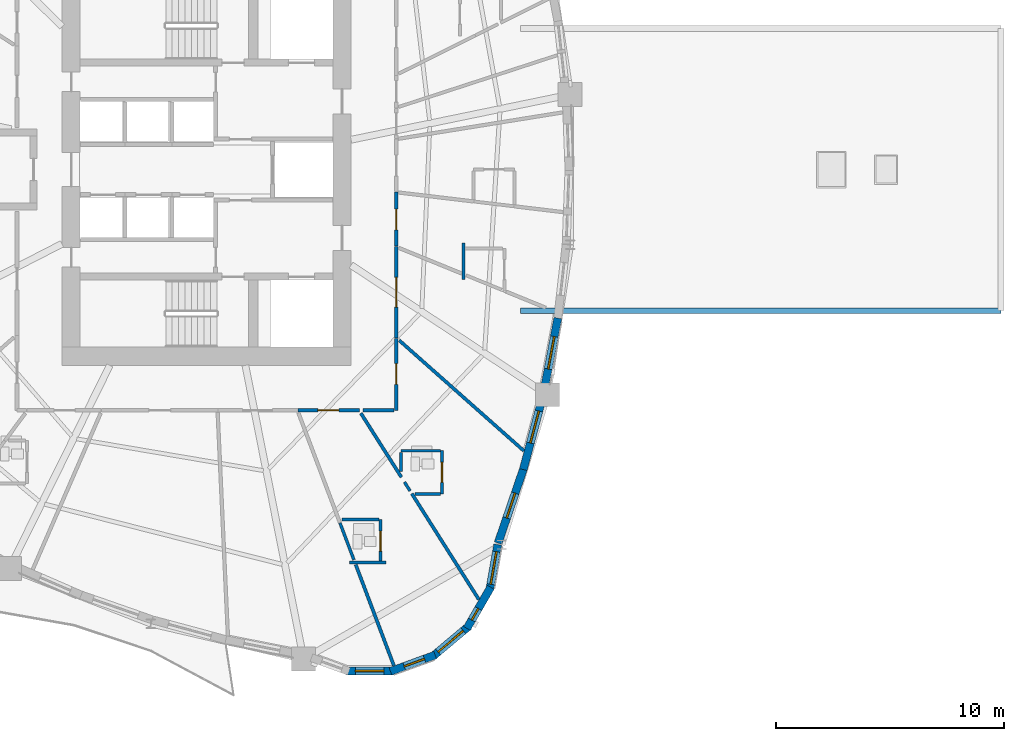
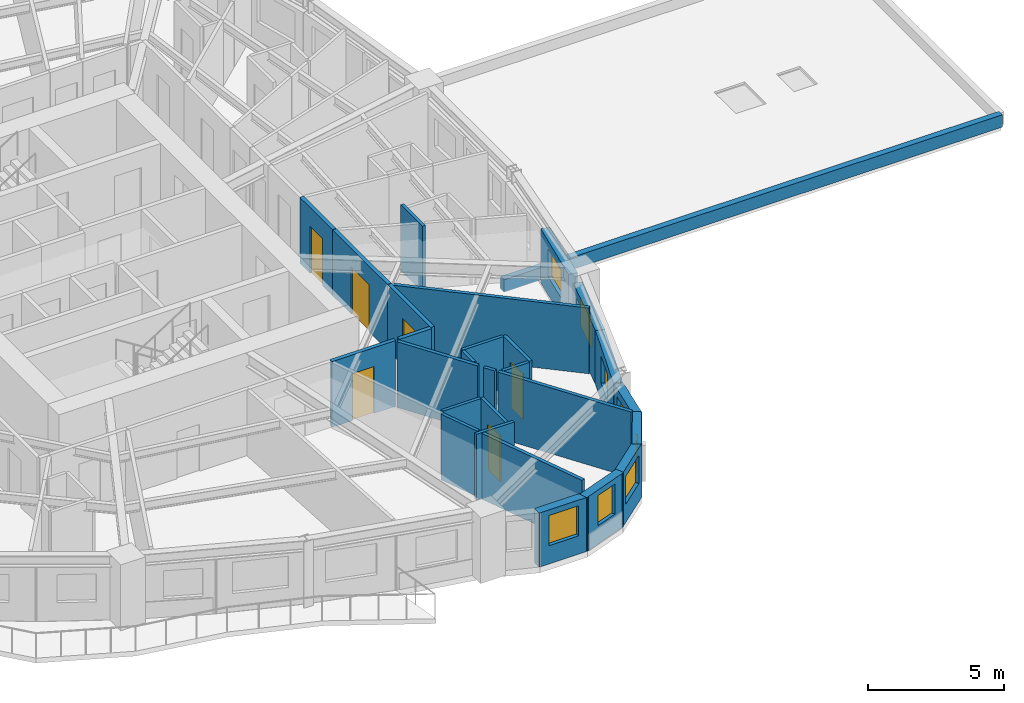
# One storey, part 6 of 15: 28 walls, 8 windows, 6 doors, 14 openings.
"""IFC4 building model written with IfcOpenShell, lengths in metres."""

from ifc_helpers import new_model, si_unit, direction, frame, frame_2d, origin, place, context, subcontext, project, spatial, rectangle, extrude, source, transform, mapped, material, layer, layer_set, type_object, element, fill, save


model = new_model("IFC4")

# Units and contexts
model_context = context("Model", 3, precision=1e-05, world=origin(), true_north=direction((0.0, 1.0)))
body_context = subcontext(model_context, "Body", "Model", "MODEL_VIEW")
ifc_project = project(units=[si_unit("LENGTHUNIT", "METRE"), si_unit("AREAUNIT", "SQUARE_METRE"), si_unit("VOLUMEUNIT", "CUBIC_METRE"), si_unit("PLANEANGLEUNIT", "RADIAN"), si_unit("MASSUNIT", "GRAM", prefix="KILO")], contexts=[model_context])

# Site, building, storey
site_placement = place(None, origin())
site = spatial("IfcSite", under=ifc_project, at=site_placement, CompositionType="ELEMENT")
building_placement = place(site_placement, origin())
building = spatial("IfcBuilding", under=site, at=building_placement, Name="Qafzar Sky-Pleat Residences", CompositionType="ELEMENT")
storey_placement = place(building_placement, frame((0.0, 0.0, 36.60009765625)))
storey = spatial("IfcBuildingStorey", under=building, at=storey_placement, Name="L10", CompositionType="ELEMENT", Elevation=36.60009765625)

# Wall, opening, door
ifc_material_1 = material(Name="Acoustic gypsum plasterboard partition", Category="gypsum")
ifc_layer_1 = layer(ifc_material_1, 0.159912109375)
ifc_layer_set_1 = layer_set([ifc_layer_1], Name="Acoustic gypsum plasterboard partition")
wall_type_1 = type_object("IfcWallType", Name="PART-COR-160", PredefinedType="PARTITIONING", material=ifc_layer_set_1)
wall_1_placement = place(storey_placement, frame((38.679931640625, 22.623046875, 0.0), z_axis=(0.0, 0.0, 1.0), x_axis=(0.0, -1.0, 0.0)))
wall_1 = element("IfcWall", 1, at=wall_1_placement, inside=storey, type_object=wall_type_1, Name="L10 Partition Wall PART-L10-PW-003", PredefinedType="PARTITIONING", context=body_context, shape_type="SweptSolid", body=[
    extrude(rectangle(XDim=4.026123046875, YDim=0.159912109375, at=frame_2d((2.01318359375, 0.0))), origin(), (0.0, 0.0, 1.0), 2.93994140625),
])
opening_1_placement = place(wall_1_placement, frame((1.361083984375, 0.0, 0.0)))
opening_1 = element("IfcOpeningElement", 2, at=opening_1_placement, cuts=wall_1, Name="Opening ID-05", PredefinedType="OPENING", context=body_context, shape_type="SweptSolid", body=[
    extrude(rectangle(XDim=1.300048828125, YDim=2.10009765625, at=frame_2d((0.64990234375, 1.050048828125))), frame((0.0, 0.08984375, 0.0), z_axis=(0.0, -1.0, 0.0), x_axis=(1.0, 0.0, 0.0)), (0.0, 0.0, 1.0), 0.179931640625),
])
ifc_material_2 = material(Name="Timber-faced fire door", Category="wood")
door_type_1 = type_object("IfcDoorType", Name="DR-LNG-1300", OperationType="DOUBLE_DOOR_SINGLE_SWING", PredefinedType="DOOR", material=ifc_material_2)
shared_shape_1 = source(origin(), body_context, "Body", "SweptSolid", [
    extrude(rectangle(XDim=1.300048828125, YDim=2.10009765625, at=frame_2d((0.64990234375, 1.050048828125))), frame((0.0, 0.02490234375, 0.0), z_axis=(0.0, -1.0, 0.0), x_axis=(1.0, 0.0, 0.0)), (0.0, 0.0, 1.0), 0.050048828125),
])
door_1_placement = place(opening_1_placement, origin())
door_1 = element("IfcDoor", 3, at=door_1_placement, inside=storey, type_object=door_type_1, Name="L10 Communal Kitchen Door", OperationType="DOUBLE_DOOR_SINGLE_SWING", OverallHeight=2.10009765625, OverallWidth=1.300048828125, PredefinedType="DOOR", context=body_context, shape_type="MappedRepresentation", body=[
    mapped(shared_shape_1, transform((0.0, 0.0, 0.0), x_axis=(1.0, 0.0, 0.0), y_axis=(0.0, 1.0, 0.0), z_axis=(0.0, 0.0, 1.0), scale=1.0)),
])
fill(opening_1, door_1)

wall_2_placement = place(storey_placement, frame((38.679931640625, 18.58203125, 0.0), z_axis=(0.0, 0.0, 1.0), x_axis=(0.0, -1.0, 0.0)))
wall_2 = element("IfcWall", 4, at=wall_2_placement, inside=storey, type_object=wall_type_1, Name="L10 Partition Wall PART-L10-PW-010", PredefinedType="PARTITIONING", context=body_context, shape_type="SweptSolid", body=[
    extrude(rectangle(XDim=3.162109375, YDim=0.159912109375, at=frame_2d((1.5810546875, 0.0))), origin(), (0.0, 0.0, 1.0), 2.93994140625),
])
opening_2_placement = place(wall_2_placement, frame((1.103515625, 0.0, 0.0)))
opening_2 = element("IfcOpeningElement", 5, at=opening_2_placement, cuts=wall_2, Name="Opening ID-04", PredefinedType="OPENING", context=body_context, shape_type="SweptSolid", body=[
    extrude(rectangle(XDim=0.919921875, YDim=2.10009765625, at=frame_2d((0.4599609375, 1.050048828125))), frame((0.0, 0.08984375, 0.0), z_axis=(0.0, -1.0, 0.0), x_axis=(1.0, 0.0, 0.0)), (0.0, 0.0, 1.0), 0.179931640625),
])
door_type_2 = type_object("IfcDoorType", Name="DR-BED-920", OperationType="NOTDEFINED", PredefinedType="DOOR", material=ifc_material_2)
shared_shape_2 = source(origin(), body_context, "Body", "SweptSolid", [
    extrude(rectangle(XDim=0.919921875, YDim=2.10009765625, at=frame_2d((0.4599609375, 1.050048828125))), frame((0.0, 0.02490234375, 0.0), z_axis=(0.0, -1.0, 0.0), x_axis=(1.0, 0.0, 0.0)), (0.0, 0.0, 1.0), 0.050048828125),
])
door_2_placement = place(opening_2_placement, origin())
door_2 = element("IfcDoor", 6, at=door_2_placement, inside=storey, type_object=door_type_2, Name="L10 Co-Living Bedroom 4 Door", OperationType="SINGLE_SWING_LEFT", OverallHeight=2.10009765625, OverallWidth=0.919921875, PredefinedType="DOOR", context=body_context, shape_type="MappedRepresentation", body=[
    mapped(shared_shape_2, transform((0.0, 0.0, 0.0), x_axis=(1.0, 0.0, 0.0), y_axis=(0.0, 1.0, 0.0), z_axis=(0.0, 0.0, 1.0), scale=1.0)),
])
fill(opening_2, door_2)

wall_3_placement = place(storey_placement, frame((37.069091796875, 15.419921875, 0.0), z_axis=(0.0, 0.0, 1.0), x_axis=(-1.0, 0.0, 0.0)))
wall_3 = element("IfcWall", 7, at=wall_3_placement, inside=storey, type_object=wall_type_1, Name="L10 Partition Wall PART-L10-PW-014", PredefinedType="PARTITIONING", context=body_context, shape_type="SweptSolid", body=[
    extrude(rectangle(XDim=2.693115234375, YDim=0.159912109375, at=frame_2d((1.3466796875, 0.0))), origin(), (0.0, 0.0, 1.0), 2.93994140625),
])
opening_3_placement = place(wall_3_placement, frame((0.910888671875, 0.0, 0.0)))
opening_3 = element("IfcOpeningElement", 8, at=opening_3_placement, cuts=wall_3, Name="Opening ID-04", PredefinedType="OPENING", context=body_context, shape_type="SweptSolid", body=[
    extrude(rectangle(XDim=0.919921875, YDim=2.10009765625, at=frame_2d((0.4599609375, 1.050048828125))), frame((0.0, 0.08984375, 0.0), z_axis=(0.0, -1.0, 0.0), x_axis=(1.0, 0.0, 0.0)), (0.0, 0.0, 1.0), 0.179931640625),
])
door_3_placement = place(opening_3_placement, origin())
door_3 = element("IfcDoor", 9, at=door_3_placement, inside=storey, type_object=door_type_2, Name="L10 Co-Living Bedroom 3 Door", OperationType="SINGLE_SWING_RIGHT", OverallHeight=2.10009765625, OverallWidth=0.919921875, PredefinedType="DOOR", context=body_context, shape_type="MappedRepresentation", body=[
    mapped(shared_shape_2, transform((0.0, 0.0, 0.0), x_axis=(1.0, 0.0, 0.0), y_axis=(0.0, 1.0, 0.0), z_axis=(0.0, 0.0, 1.0), scale=1.0)),
])
fill(opening_3, door_3)

wall_4_placement = place(storey_placement, frame((38.679931640625, 25.02099609375, 0.0), z_axis=(0.0, 0.0, 1.0), x_axis=(0.0, -1.0, 0.0)))
wall_4 = element("IfcWall", 10, at=wall_4_placement, inside=storey, type_object=wall_type_1, Name="L10 Partition Wall PART-L10-PW-016", PredefinedType="PARTITIONING", context=body_context, shape_type="SweptSolid", body=[
    extrude(rectangle(XDim=2.383056640625, YDim=0.159912109375, at=frame_2d((1.19140625, 0.0))), origin(), (0.0, 0.0, 1.0), 2.93994140625),
])
opening_4_placement = place(wall_4_placement, frame((0.75439453125, 0.0, 0.0)))
opening_4 = element("IfcOpeningElement", 11, at=opening_4_placement, cuts=wall_4, Name="Opening ID-04", PredefinedType="OPENING", context=body_context, shape_type="SweptSolid", body=[
    extrude(rectangle(XDim=0.919921875, YDim=2.10009765625, at=frame_2d((0.4599609375, 1.050048828125))), frame((0.0, 0.08984375, 0.0), z_axis=(0.0, -1.0, 0.0), x_axis=(1.0, 0.0, 0.0)), (0.0, 0.0, 1.0), 0.179931640625),
])
door_4_placement = place(opening_4_placement, origin())
door_4 = element("IfcDoor", 12, at=door_4_placement, inside=storey, type_object=door_type_2, Name="L10 Co-Living Bedroom 5 Door", OperationType="SINGLE_SWING_RIGHT", OverallHeight=2.10009765625, OverallWidth=0.919921875, PredefinedType="DOOR", context=body_context, shape_type="MappedRepresentation", body=[
    mapped(shared_shape_2, transform((0.0, 0.0, 0.0), x_axis=(1.0, 0.0, 0.0), y_axis=(0.0, 1.0, 0.0), z_axis=(0.0, 0.0, 1.0), scale=1.0)),
])
fill(opening_4, door_4)

# Walls
wall_5_placement = place(storey_placement, frame((37.228515625, 15.419921875, 0.0), z_axis=(0.0, 0.0, 1.0), x_axis=(1.0, 0.0, 0.0)))
element("IfcWall", 13, at=wall_5_placement, inside=storey, type_object=wall_type_1, Name="L10 Partition Wall PART-L10-PW-087", PredefinedType="PARTITIONING", context=body_context, shape_type="SweptSolid", body=[
    extrude(rectangle(XDim=1.363525390625, YDim=0.159912109375, at=frame_2d((0.681640625, 0.0))), origin(), (0.0, 0.0, 1.0), 2.93994140625),
])
ifc_layer_2 = layer(ifc_material_1, 0.14501953125)
ifc_layer_set_2 = layer_set([ifc_layer_2], Name="Acoustic gypsum plasterboard partition")
wall_type_2 = type_object("IfcWallType", Name="PART-UNIT-145", PredefinedType="PARTITIONING", material=ifc_layer_set_2)
wall_6_placement = place(storey_placement, frame((38.814208984375, 18.498291015625, 0.0), z_axis=(0.0, 0.0, 1.0), x_axis=(0.748346939228, -0.663307514316, 0.0)))
element("IfcWall", 14, at=wall_6_placement, inside=storey, type_object=wall_type_2, Name="L10 Partition Wall PART-L10-PW-046", PredefinedType="PARTITIONING", context=body_context, shape_type="SweptSolid", body=[
    extrude(rectangle(XDim=7.32080078125, YDim=0.14501953125, at=frame_2d((3.660400390625, 0.0))), origin(), (0.0, 0.0, 1.0), 2.93994140625),
])
wall_7_placement = place(storey_placement, frame((39.367919921875, 11.762939453125, 0.0), z_axis=(0.0, 0.0, 1.0), x_axis=(0.535087981742, -0.844796337465, 0.0)))
element("IfcWall", 15, at=wall_7_placement, inside=storey, type_object=wall_type_2, Name="L10 Partition Wall PART-L10-PW-049", PredefinedType="PARTITIONING", context=body_context, shape_type="SweptSolid", body=[
    extrude(rectangle(XDim=5.500732421875, YDim=0.14501953125, at=frame_2d((2.75048828125, 0.0))), origin(), (0.0, 0.0, 1.0), 2.93994140625),
])
wall_8_placement = place(storey_placement, frame((36.903076171875, 8.64697265625, 0.0), z_axis=(0.0, 0.0, 1.0), x_axis=(0.353286560965, -0.935515155324, 0.0)))
element("IfcWall", 16, at=wall_8_placement, inside=storey, type_object=wall_type_2, Name="L10 Partition Wall PART-L10-PW-051", PredefinedType="PARTITIONING", context=body_context, shape_type="SweptSolid", body=[
    extrude(rectangle(XDim=4.74755859375, YDim=0.14501953125, at=frame_2d((2.373779296875, 0.0))), origin(), (0.0, 0.0, 1.0), 2.93994140625),
])
wall_9_placement = place(storey_placement, frame((37.130615234375, 15.29443359375, 0.0), z_axis=(0.0, 0.0, 1.0), x_axis=(0.535237043706, -0.844701904251, 0.0)))
element("IfcWall", 17, at=wall_9_placement, inside=storey, type_object=wall_type_2, Name="L10 Partition Wall PART-L10-PW-056", PredefinedType="PARTITIONING", context=body_context, shape_type="SweptSolid", body=[
    extrude(rectangle(XDim=3.328369140625, YDim=0.14501953125, at=frame_2d((1.6640625, 0.0))), origin(), (0.0, 0.0, 1.0), 2.93994140625),
])

# Wall, opening, door
ifc_material_3 = material(Name="Moisture-resistant gypsum partition", Category="gypsum")
ifc_layer_3 = layer(ifc_material_3, 0.1298828125)
ifc_layer_set_3 = layer_set([ifc_layer_3], Name="Moisture-resistant gypsum partition")
wall_type_3 = type_object("IfcWallType", Name="PART-WET-130", PredefinedType="PARTITIONING", material=ifc_layer_set_3)
wall_10_placement = place(storey_placement, frame((37.992919921875, 8.802978515625, 0.0), z_axis=(0.0, 0.0, 1.0), x_axis=(0.0, 1.0, 0.0)))
wall_10 = element("IfcWall", 18, at=wall_10_placement, inside=storey, type_object=wall_type_3, Name="L10 Partition Wall PART-L10-PW-022", PredefinedType="PARTITIONING", context=body_context, shape_type="SweptSolid", body=[
    extrude(rectangle(XDim=1.826904296875, YDim=0.1298828125, at=frame_2d((0.91357421875, 0.0))), origin(), (0.0, 0.0, 1.0), 2.93994140625),
])
opening_5_placement = place(wall_10_placement, frame((0.43701171875, 0.0, 0.0)))
opening_5 = element("IfcOpeningElement", 19, at=opening_5_placement, cuts=wall_10, Name="Opening ID-07", PredefinedType="OPENING", context=body_context, shape_type="SweptSolid", body=[
    extrude(rectangle(XDim=0.8798828125, YDim=2.050048828125, at=frame_2d((0.43994140625, 1.02490234375))), frame((0.0, 0.074951171875, 0.0), z_axis=(0.0, -1.0, 0.0), x_axis=(1.0, 0.0, 0.0)), (0.0, 0.0, 1.0), 0.14990234375),
])
door_type_3 = type_object("IfcDoorType", Name="DR-WET-880", OperationType="NOTDEFINED", PredefinedType="DOOR", material=ifc_material_2)
shared_shape_3 = source(origin(), body_context, "Body", "SweptSolid", [
    extrude(rectangle(XDim=0.8798828125, YDim=2.050048828125, at=frame_2d((0.43994140625, 1.02490234375))), frame((0.0, 0.02490234375, 0.0), z_axis=(0.0, -1.0, 0.0), x_axis=(1.0, 0.0, 0.0)), (0.0, 0.0, 1.0), 0.050048828125),
])
door_5_placement = place(opening_5_placement, origin())
door_5 = element("IfcDoor", 20, at=door_5_placement, inside=storey, type_object=door_type_3, Name="L10 En-suite Bathroom 3 Door", OperationType="SINGLE_SWING_RIGHT", OverallHeight=2.050048828125, OverallWidth=0.8798828125, PredefinedType="DOOR", context=body_context, shape_type="MappedRepresentation", body=[
    mapped(shared_shape_3, transform((0.0, 0.0, 0.0), x_axis=(1.0, 0.0, 0.0), y_axis=(0.0, 1.0, 0.0), z_axis=(0.0, 0.0, 1.0), scale=1.0)),
])
fill(opening_5, door_5)

wall_11_placement = place(storey_placement, frame((40.697021484375, 11.748046875, 0.0), z_axis=(0.0, 0.0, 1.0), x_axis=(0.0, 1.0, 0.0)))
wall_11 = element("IfcWall", 21, at=wall_11_placement, inside=storey, type_object=wall_type_3, Name="L10 Partition Wall PART-L10-PW-023", PredefinedType="PARTITIONING", context=body_context, shape_type="SweptSolid", body=[
    extrude(rectangle(XDim=1.89990234375, YDim=0.1298828125, at=frame_2d((0.949951171875, 0.0))), origin(), (0.0, 0.0, 1.0), 2.93994140625),
])
opening_6_placement = place(wall_11_placement, frame((0.510009765625, 0.0, 0.0)))
opening_6 = element("IfcOpeningElement", 22, at=opening_6_placement, cuts=wall_11, Name="Opening ID-07", PredefinedType="OPENING", context=body_context, shape_type="SweptSolid", body=[
    extrude(rectangle(XDim=0.8798828125, YDim=2.050048828125, at=frame_2d((0.43994140625, 1.02490234375))), frame((0.0, 0.074951171875, 0.0), z_axis=(0.0, -1.0, 0.0), x_axis=(1.0, 0.0, 0.0)), (0.0, 0.0, 1.0), 0.14990234375),
])
door_6_placement = place(opening_6_placement, origin())
door_6 = element("IfcDoor", 23, at=door_6_placement, inside=storey, type_object=door_type_3, Name="L10 En-suite Bathroom 4 Door", OperationType="SINGLE_SWING_LEFT", OverallHeight=2.050048828125, OverallWidth=0.8798828125, PredefinedType="DOOR", context=body_context, shape_type="MappedRepresentation", body=[
    mapped(shared_shape_3, transform((0.0, 0.0, 0.0), x_axis=(1.0, 0.0, 0.0), y_axis=(0.0, 1.0, 0.0), z_axis=(0.0, 0.0, 1.0), scale=1.0)),
])
fill(opening_6, door_6)

# Walls
wall_12_placement = place(storey_placement, frame((36.21337890625, 10.472900390625, 0.0), z_axis=(0.0, 0.0, 1.0), x_axis=(0.353194751426, -0.935549820996, 0.0)))
element("IfcWall", 24, at=wall_12_placement, inside=storey, type_object=wall_type_3, Name="L10 Partition Wall PART-L10-PW-072", PredefinedType="PARTITIONING", context=body_context, shape_type="SweptSolid", body=[
    extrude(rectangle(XDim=1.730224609375, YDim=0.1298828125, at=frame_2d((0.865234375, 0.0))), origin(), (0.0, 0.0, 1.0), 2.93994140625),
])
wall_13_placement = place(storey_placement, frame((36.302978515625, 10.6298828125, 0.0), z_axis=(0.0, 0.0, 1.0), x_axis=(1.0, 0.0, 0.0)))
element("IfcWall", 25, at=wall_13_placement, inside=storey, type_object=wall_type_3, Name="L10 Partition Wall PART-L10-PW-073", PredefinedType="PARTITIONING", context=body_context, shape_type="SweptSolid", body=[
    extrude(rectangle(XDim=1.616943359375, YDim=0.1298828125, at=frame_2d((0.80859375, 0.0))), origin(), (0.0, 0.0, 1.0), 2.93994140625),
])
wall_14_placement = place(storey_placement, frame((38.89697265625, 13.64794921875, 0.0), z_axis=(0.0, 0.0, 1.0), x_axis=(1.0, 0.0, 0.0)))
element("IfcWall", 26, at=wall_14_placement, inside=storey, type_object=wall_type_3, Name="L10 Partition Wall PART-L10-PW-074", PredefinedType="PARTITIONING", context=body_context, shape_type="SweptSolid", body=[
    extrude(rectangle(XDim=1.72705078125, YDim=0.1298828125, at=frame_2d((0.863525390625, 0.0))), origin(), (0.0, 0.0, 1.0), 2.93994140625),
])
wall_15_placement = place(storey_placement, frame((39.511962890625, 11.748046875, 0.0), z_axis=(0.0, 0.0, 1.0), x_axis=(1.0, 0.0, 0.0)))
element("IfcWall", 27, at=wall_15_placement, inside=storey, type_object=wall_type_3, Name="L10 Partition Wall PART-L10-PW-093", PredefinedType="PARTITIONING", context=body_context, shape_type="SweptSolid", body=[
    extrude(rectangle(XDim=1.112060546875, YDim=0.1298828125, at=frame_2d((0.55615234375, 0.0))), origin(), (0.0, 0.0, 1.0), 2.93994140625),
])
wall_16_placement = place(storey_placement, frame((38.89697265625, 12.74609375, 0.0), z_axis=(0.0, 0.0, 1.0), x_axis=(0.0, 1.0, 0.0)))
element("IfcWall", 28, at=wall_16_placement, inside=storey, type_object=wall_type_3, Name="L10 Partition Wall PART-L10-PW-098", PredefinedType="PARTITIONING", context=body_context, shape_type="SweptSolid", body=[
    extrude(rectangle(XDim=0.828857421875, YDim=0.1298828125, at=frame_2d((0.41455078125, 0.0))), origin(), (0.0, 0.0, 1.0), 2.93994140625),
])
wall_17_placement = place(storey_placement, frame((41.632080078125, 21.1640625, 0.0), z_axis=(0.0, 0.0, 1.0), x_axis=(0.0, 1.0, 0.0)))
element("IfcWall", 29, at=wall_17_placement, inside=storey, type_object=wall_type_3, Name="L10 Partition Wall PART-L10-PW-099", PredefinedType="PARTITIONING", context=body_context, shape_type="SweptSolid", body=[
    extrude(rectangle(XDim=1.60595703125, YDim=0.1298828125, at=frame_2d((0.802978515625, 0.0))), origin(), (0.0, 0.0, 1.0), 2.93994140625),
])
wall_18_placement = place(storey_placement, frame((36.632080078125, 8.72998046875, 0.0), z_axis=(0.0, 0.0, 1.0), x_axis=(1.0, 0.0, 0.0)))
element("IfcWall", 30, at=wall_18_placement, inside=storey, type_object=wall_type_3, Name="L10 Partition Wall PART-L10-PW-100", PredefinedType="PARTITIONING", context=body_context, shape_type="SweptSolid", body=[
    extrude(rectangle(XDim=1.600830078125, YDim=0.1298828125, at=frame_2d((0.80029296875, 0.0))), origin(), (0.0, 0.0, 1.0), 2.93994140625),
])
wall_19_placement = place(storey_placement, frame((39.044189453125, 12.274169921875, 0.0), z_axis=(0.0, 0.0, 1.0), x_axis=(0.535002019117, -0.844850779452, 0.0)))
element("IfcWall", 31, at=wall_19_placement, inside=storey, type_object=wall_type_3, Name="L10 Partition Wall PART-L10-PW-104", PredefinedType="PARTITIONING", context=body_context, shape_type="SweptSolid", body=[
    extrude(rectangle(XDim=0.464111328125, YDim=0.1298828125, at=frame_2d((0.23193359375, 0.0))), origin(), (0.0, 0.0, 1.0), 2.93994140625),
])
ifc_material_4 = material(Name="Precast concrete C40/50 with honed Riyadh limestone", Category="concrete")
ifc_layer_4 = layer(ifc_material_4, 0.260009765625)
ifc_layer_set_4 = layer_set([ifc_layer_4], Name="Precast concrete C40/50 with honed Riyadh limestone")
wall_type_4 = type_object("IfcWallType", Name="WALL-EXT-260", PredefinedType="PARAPET", material=ifc_layer_set_4)
wall_20_placement = place(storey_placement, frame((44.14990234375, 19.800048828125, 0.0), z_axis=(0.0, 0.0, 1.0), x_axis=(1.0, 0.0, 0.0)))
element("IfcWall", 32, at=wall_20_placement, inside=storey, type_object=wall_type_4, Name="L10 SB-1 Roof Parapet 1", PredefinedType="PARAPET", context=body_context, shape_type="SweptSolid", body=[
    extrude(rectangle(XDim=21.1044921875, YDim=0.260009765625, at=frame_2d((10.55224609375, 0.0))), origin(), (0.0, 0.0, 1.0), 0.5498046875),
])

# Wall, opening, window
ifc_layer_5 = layer(ifc_material_4, 0.35009765625)
ifc_layer_set_5 = layer_set([ifc_layer_5], Name="Precast concrete C40/50 with honed Riyadh limestone")
wall_type_5 = type_object("IfcWallType", Name="WALL-EXT-350", PredefinedType="SOLIDWALL", material=ifc_layer_set_5)
wall_21_placement = place(storey_placement, frame((36.472412109375, 3.978271484375, 0.0), z_axis=(0.0, 0.0, 1.0), x_axis=(1.0, 0.0, 0.0)))
wall_21 = element("IfcWall", 33, at=wall_21_placement, inside=storey, type_object=wall_type_5, Name="L10 Limestone Facade Wall 18", PredefinedType="SOLIDWALL", context=body_context, shape_type="SweptSolid", body=[
    extrude(rectangle(XDim=2.09033203125, YDim=0.35009765625, at=frame_2d((1.045166015625, 0.0))), origin(), (0.0, 0.0, 1.0), 2.419921875),
])
opening_7_placement = place(wall_21_placement, frame((0.420166015625, 0.0, 0.820068359375)))
opening_7 = element("IfcOpeningElement", 34, at=opening_7_placement, cuts=wall_21, Name="Opening WN-11", PredefinedType="OPENING", context=body_context, shape_type="SweptSolid", body=[
    extrude(rectangle(XDim=1.25, YDim=1.35009765625, at=frame_2d((0.625, 0.675048828125))), frame((0.0, 0.18505859375, 0.0), z_axis=(0.0, -1.0, 0.0), x_axis=(1.0, 0.0, 0.0)), (0.0, 0.0, 1.0), 0.3701171875),
])
ifc_material_5 = material(Name="Solar-control low-E glass in bronze aluminium frame", Category="glass")
window_type_1 = type_object("IfcWindowType", Name="WIN-11", PartitioningType="SINGLE_PANEL", PredefinedType="WINDOW", material=ifc_material_5)
shared_shape_4 = source(origin(), body_context, "Body", "SweptSolid", [
    extrude(rectangle(XDim=1.25, YDim=1.35009765625, at=frame_2d((0.625, 0.675048828125))), frame((0.0, 0.030029296875, 0.0), z_axis=(0.0, -1.0, 0.0), x_axis=(1.0, 0.0, 0.0)), (0.0, 0.0, 1.0), 0.06005859375),
])
window_1_placement = place(opening_7_placement, origin())
window_1 = element("IfcWindow", 35, at=window_1_placement, inside=storey, type_object=window_type_1, Name="L10 Punched Facade Window 18", OverallHeight=1.35009765625, OverallWidth=1.25, PartitioningType="SINGLE_PANEL", PredefinedType="WINDOW", context=body_context, shape_type="MappedRepresentation", body=[
    mapped(shared_shape_4, transform((0.0, 0.0, 0.0), x_axis=(1.0, 0.0, 0.0), y_axis=(0.0, 1.0, 0.0), z_axis=(0.0, 0.0, 1.0), scale=1.0)),
])
fill(opening_7, window_1)

wall_22_placement = place(storey_placement, frame((38.42919921875, 3.95458984375, 0.0), z_axis=(0.0, 0.0, 1.0), x_axis=(0.939660353162, 0.342108784886, 0.0)))
wall_22 = element("IfcWall", 36, at=wall_22_placement, inside=storey, type_object=wall_type_5, Name="L10 Limestone Facade Wall 19", PredefinedType="SOLIDWALL", context=body_context, shape_type="SweptSolid", body=[
    extrude(rectangle(XDim=2.09033203125, YDim=0.35009765625, at=frame_2d((1.045166015625, 0.0))), origin(), (0.0, 0.0, 1.0), 2.419921875),
])
opening_8_placement = place(wall_22_placement, frame((0.644287109375, 0.0, 0.820068359375)))
opening_8 = element("IfcOpeningElement", 37, at=opening_8_placement, cuts=wall_22, Name="Opening WN-12", PredefinedType="OPENING", context=body_context, shape_type="SweptSolid", body=[
    extrude(rectangle(XDim=0.949951171875, YDim=1.35009765625, at=frame_2d((0.47509765625, 0.675048828125))), frame((0.0, 0.18505859375, 0.0), z_axis=(0.0, -1.0, 0.0), x_axis=(1.0, 0.0, 0.0)), (0.0, 0.0, 1.0), 0.3701171875),
])
window_type_2 = type_object("IfcWindowType", Name="WIN-12", PartitioningType="SINGLE_PANEL", PredefinedType="WINDOW", material=ifc_material_5)
shared_shape_5 = source(origin(), body_context, "Body", "SweptSolid", [
    extrude(rectangle(XDim=0.949951171875, YDim=1.35009765625, at=frame_2d((0.47509765625, 0.675048828125))), frame((0.0, 0.030029296875, 0.0), z_axis=(0.0, -1.0, 0.0), x_axis=(1.0, 0.0, 0.0)), (0.0, 0.0, 1.0), 0.06005859375),
])
window_2_placement = place(opening_8_placement, origin())
window_2 = element("IfcWindow", 38, at=window_2_placement, inside=storey, type_object=window_type_2, Name="L10 Punched Facade Window 19", OverallHeight=1.35009765625, OverallWidth=0.949951171875, PartitioningType="SINGLE_PANEL", PredefinedType="WINDOW", context=body_context, shape_type="MappedRepresentation", body=[
    mapped(shared_shape_5, transform((0.0, 0.0, 0.0), x_axis=(1.0, 0.0, 0.0), y_axis=(0.0, 1.0, 0.0), z_axis=(0.0, 0.0, 1.0), scale=1.0)),
])
fill(opening_8, window_2)

wall_23_placement = place(storey_placement, frame((40.27587890625, 4.601806640625, 0.0), z_axis=(0.0, 0.0, 1.0), x_axis=(0.766024572719, 0.642811289563, 0.0)))
wall_23 = element("IfcWall", 39, at=wall_23_placement, inside=storey, type_object=wall_type_5, Name="L10 Limestone Facade Wall 20", PredefinedType="SOLIDWALL", context=body_context, shape_type="SweptSolid", body=[
    extrude(rectangle(XDim=2.09033203125, YDim=0.35009765625, at=frame_2d((1.045166015625, 0.0))), origin(), (0.0, 0.0, 1.0), 2.419921875),
])
opening_9_placement = place(wall_23_placement, frame((0.3203125, 0.0, 0.820068359375)))
opening_9 = element("IfcOpeningElement", 40, at=opening_9_placement, cuts=wall_23, Name="Opening WN-15", PredefinedType="OPENING", context=body_context, shape_type="SweptSolid", body=[
    extrude(rectangle(XDim=1.449951171875, YDim=1.25, at=frame_2d((0.72509765625, 0.625))), frame((0.0, 0.18505859375, 0.0), z_axis=(0.0, -1.0, 0.0), x_axis=(1.0, 0.0, 0.0)), (0.0, 0.0, 1.0), 0.3701171875),
])
window_type_3 = type_object("IfcWindowType", Name="WIN-15", PartitioningType="SINGLE_PANEL", PredefinedType="WINDOW", material=ifc_material_5)
shared_shape_6 = source(origin(), body_context, "Body", "SweptSolid", [
    extrude(rectangle(XDim=1.449951171875, YDim=1.25, at=frame_2d((0.72509765625, 0.625))), frame((0.0, 0.030029296875, 0.0), z_axis=(0.0, -1.0, 0.0), x_axis=(1.0, 0.0, 0.0)), (0.0, 0.0, 1.0), 0.06005859375),
])
window_3_placement = place(opening_9_placement, origin())
window_3 = element("IfcWindow", 41, at=window_3_placement, inside=storey, type_object=window_type_3, Name="L10 Punched Facade Window 20", OverallHeight=1.25, OverallWidth=1.449951171875, PartitioningType="SINGLE_PANEL", PredefinedType="WINDOW", context=body_context, shape_type="MappedRepresentation", body=[
    mapped(shared_shape_6, transform((0.0, 0.0, 0.0), x_axis=(1.0, 0.0, 0.0), y_axis=(0.0, 1.0, 0.0), z_axis=(0.0, 0.0, 1.0), scale=1.0)),
])
fill(opening_9, window_3)

wall_24_placement = place(storey_placement, frame((41.7900390625, 5.841552734375, 0.0), z_axis=(0.0, 0.0, 1.0), x_axis=(0.499995423472, 0.866028046028, 0.0)))
wall_24 = element("IfcWall", 42, at=wall_24_placement, inside=storey, type_object=wall_type_5, Name="L10 Limestone Facade Wall 21", PredefinedType="SOLIDWALL", context=body_context, shape_type="SweptSolid", body=[
    extrude(rectangle(XDim=2.09033203125, YDim=0.35009765625, at=frame_2d((1.045166015625, 0.0))), origin(), (0.0, 0.0, 1.0), 2.419921875),
])
opening_10_placement = place(wall_24_placement, frame((0.4267578125, 0.0, 0.820068359375)))
opening_10 = element("IfcOpeningElement", 43, at=opening_10_placement, cuts=wall_24, Name="Opening WN-17", PredefinedType="OPENING", context=body_context, shape_type="SweptSolid", body=[
    extrude(rectangle(XDim=0.580078125, YDim=1.35009765625, at=frame_2d((0.2900390625, 0.675048828125))), frame((0.0, 0.18505859375, 0.0), z_axis=(0.0, -1.0, 0.0), x_axis=(1.0, 0.0, 0.0)), (0.0, 0.0, 1.0), 0.3701171875),
])
window_type_4 = type_object("IfcWindowType", Name="WIN-17", PartitioningType="SINGLE_PANEL", PredefinedType="WINDOW", material=ifc_material_5)
shared_shape_7 = source(origin(), body_context, "Body", "SweptSolid", [
    extrude(rectangle(XDim=0.580078125, YDim=1.35009765625, at=frame_2d((0.2900390625, 0.675048828125))), frame((0.0, 0.030029296875, 0.0), z_axis=(0.0, -1.0, 0.0), x_axis=(1.0, 0.0, 0.0)), (0.0, 0.0, 1.0), 0.06005859375),
])
window_4_placement = place(opening_10_placement, origin())
window_4 = element("IfcWindow", 44, at=window_4_placement, inside=storey, type_object=window_type_4, Name="L10 Punched Facade Window 21", OverallHeight=1.35009765625, OverallWidth=0.580078125, PartitioningType="SINGLE_PANEL", PredefinedType="WINDOW", context=body_context, shape_type="MappedRepresentation", body=[
    mapped(shared_shape_7, transform((0.0, 0.0, 0.0), x_axis=(1.0, 0.0, 0.0), y_axis=(0.0, 1.0, 0.0), z_axis=(0.0, 0.0, 1.0), scale=1.0)),
])
fill(opening_10, window_4)

wall_25_placement = place(storey_placement, frame((42.788818359375, 7.5244140625, 0.0), z_axis=(0.0, 0.0, 1.0), x_axis=(0.173586593252, 0.984818610021, 0.0)))
wall_25 = element("IfcWall", 45, at=wall_25_placement, inside=storey, type_object=wall_type_5, Name="L10 Limestone Facade Wall 22", PredefinedType="SOLIDWALL", context=body_context, shape_type="SweptSolid", body=[
    extrude(rectangle(XDim=2.0322265625, YDim=0.35009765625, at=frame_2d((1.01611328125, 0.0))), origin(), (0.0, 0.0, 1.0), 2.419921875),
])
opening_11_placement = place(wall_25_placement, frame((0.26123046875, 0.0, 0.820068359375)))
opening_11 = element("IfcOpeningElement", 46, at=opening_11_placement, cuts=wall_25, Name="Opening WN-15", PredefinedType="OPENING", context=body_context, shape_type="SweptSolid", body=[
    extrude(rectangle(XDim=1.449951171875, YDim=1.25, at=frame_2d((0.72509765625, 0.625))), frame((0.0, 0.18505859375, 0.0), z_axis=(0.0, -1.0, 0.0), x_axis=(1.0, 0.0, 0.0)), (0.0, 0.0, 1.0), 0.3701171875),
])
window_5_placement = place(opening_11_placement, origin())
window_5 = element("IfcWindow", 47, at=window_5_placement, inside=storey, type_object=window_type_3, Name="L10 Punched Facade Window 22", OverallHeight=1.25, OverallWidth=1.449951171875, PartitioningType="SINGLE_PANEL", PredefinedType="WINDOW", context=body_context, shape_type="MappedRepresentation", body=[
    mapped(shared_shape_6, transform((0.0, 0.0, 0.0), x_axis=(1.0, 0.0, 0.0), y_axis=(0.0, 1.0, 0.0), z_axis=(0.0, 0.0, 1.0), scale=1.0)),
])
fill(opening_11, window_5)

wall_26_placement = place(storey_placement, frame((43.158447265625, 9.5908203125, 0.0), z_axis=(0.0, 0.0, 1.0), x_axis=(0.323579292047, 0.946201057788, 0.0)))
wall_26 = element("IfcWall", 48, at=wall_26_placement, inside=storey, type_object=wall_type_5, Name="L10 Limestone Facade Wall 23", PredefinedType="SOLIDWALL", context=body_context, shape_type="SweptSolid", body=[
    extrude(rectangle(XDim=3.50244140625, YDim=0.35009765625, at=frame_2d((1.751220703125, 0.0))), origin(), (0.0, 0.0, 1.0), 2.419921875),
])
opening_12_placement = place(wall_26_placement, frame((1.166259765625, 0.0, 0.820068359375)))
opening_12 = element("IfcOpeningElement", 49, at=opening_12_placement, cuts=wall_26, Name="Opening WN-16", PredefinedType="OPENING", context=body_context, shape_type="SweptSolid", body=[
    extrude(rectangle(XDim=1.14990234375, YDim=1.199951171875, at=frame_2d((0.574951171875, 0.60009765625))), frame((0.0, 0.18505859375, 0.0), z_axis=(0.0, -1.0, 0.0), x_axis=(1.0, 0.0, 0.0)), (0.0, 0.0, 1.0), 0.3701171875),
])
window_type_5 = type_object("IfcWindowType", Name="WIN-16", PartitioningType="SINGLE_PANEL", PredefinedType="WINDOW", material=ifc_material_5)
shared_shape_8 = source(origin(), body_context, "Body", "SweptSolid", [
    extrude(rectangle(XDim=1.14990234375, YDim=1.199951171875, at=frame_2d((0.574951171875, 0.60009765625))), frame((0.0, 0.030029296875, 0.0), z_axis=(0.0, -1.0, 0.0), x_axis=(1.0, 0.0, 0.0)), (0.0, 0.0, 1.0), 0.06005859375),
])
window_6_placement = place(opening_12_placement, origin())
window_6 = element("IfcWindow", 50, at=window_6_placement, inside=storey, type_object=window_type_5, Name="L10 Punched Facade Window 23", OverallHeight=1.199951171875, OverallWidth=1.14990234375, PartitioningType="SINGLE_PANEL", PredefinedType="WINDOW", context=body_context, shape_type="MappedRepresentation", body=[
    mapped(shared_shape_8, transform((0.0, 0.0, 0.0), x_axis=(1.0, 0.0, 0.0), y_axis=(0.0, 1.0, 0.0), z_axis=(0.0, 0.0, 1.0), scale=1.0)),
])
fill(opening_12, window_6)

wall_27_placement = place(storey_placement, frame((44.26611328125, 12.820556640625, 0.0), z_axis=(0.0, 0.0, 1.0), x_axis=(0.257117431061, 0.966380166728, 0.0)))
wall_27 = element("IfcWall", 51, at=wall_27_placement, inside=storey, type_object=wall_type_5, Name="L10 Limestone Facade Wall 24", PredefinedType="SOLIDWALL", context=body_context, shape_type="SweptSolid", body=[
    extrude(rectangle(XDim=3.149658203125, YDim=0.35009765625, at=frame_2d((1.57470703125, 0.0))), origin(), (0.0, 0.0, 1.0), 2.419921875),
])
opening_13_placement = place(wall_27_placement, frame((1.210205078125, 0.0, 0.820068359375)))
opening_13 = element("IfcOpeningElement", 52, at=opening_13_placement, cuts=wall_27, Name="Opening WN-15", PredefinedType="OPENING", context=body_context, shape_type="SweptSolid", body=[
    extrude(rectangle(XDim=1.449951171875, YDim=1.25, at=frame_2d((0.72509765625, 0.625))), frame((0.0, 0.18505859375, 0.0), z_axis=(0.0, -1.0, 0.0), x_axis=(1.0, 0.0, 0.0)), (0.0, 0.0, 1.0), 0.3701171875),
])
window_7_placement = place(opening_13_placement, origin())
window_7 = element("IfcWindow", 53, at=window_7_placement, inside=storey, type_object=window_type_3, Name="L10 Punched Facade Window 24-2", OverallHeight=1.25, OverallWidth=1.449951171875, PartitioningType="SINGLE_PANEL", PredefinedType="WINDOW", context=body_context, shape_type="MappedRepresentation", body=[
    mapped(shared_shape_6, transform((0.0, 0.0, 0.0), x_axis=(1.0, 0.0, 0.0), y_axis=(0.0, 1.0, 0.0), z_axis=(0.0, 0.0, 1.0), scale=1.0)),
])
fill(opening_13, window_7)

wall_28_placement = place(storey_placement, frame((45.206298828125, 16.4365234375, 0.0), z_axis=(0.0, 0.0, 1.0), x_axis=(0.186622565297, 0.982431686237, 0.0)))
wall_28 = element("IfcWall", 54, at=wall_28_placement, inside=storey, type_object=wall_type_5, Name="L10 Limestone Facade Wall 25", PredefinedType="SOLIDWALL", context=body_context, shape_type="SweptSolid", body=[
    extrude(rectangle(XDim=3.093994140625, YDim=0.35009765625, at=frame_2d((1.546875, 0.0))), origin(), (0.0, 0.0, 1.0), 2.419921875),
])
opening_14_placement = place(wall_28_placement, frame((0.81689453125, 0.0, 0.820068359375)))
opening_14 = element("IfcOpeningElement", 55, at=opening_14_placement, cuts=wall_28, Name="Opening WN-15", PredefinedType="OPENING", context=body_context, shape_type="SweptSolid", body=[
    extrude(rectangle(XDim=1.449951171875, YDim=1.25, at=frame_2d((0.72509765625, 0.625))), frame((0.0, 0.18505859375, 0.0), z_axis=(0.0, -1.0, 0.0), x_axis=(1.0, 0.0, 0.0)), (0.0, 0.0, 1.0), 0.3701171875),
])
window_8_placement = place(opening_14_placement, origin())
window_8 = element("IfcWindow", 56, at=window_8_placement, inside=storey, type_object=window_type_3, Name="L10 Punched Facade Window 25", OverallHeight=1.25, OverallWidth=1.449951171875, PartitioningType="SINGLE_PANEL", PredefinedType="WINDOW", context=body_context, shape_type="MappedRepresentation", body=[
    mapped(shared_shape_6, transform((0.0, 0.0, 0.0), x_axis=(1.0, 0.0, 0.0), y_axis=(0.0, 1.0, 0.0), z_axis=(0.0, 0.0, 1.0), scale=1.0)),
])
fill(opening_14, window_8)

save(model, "model.ifc")
